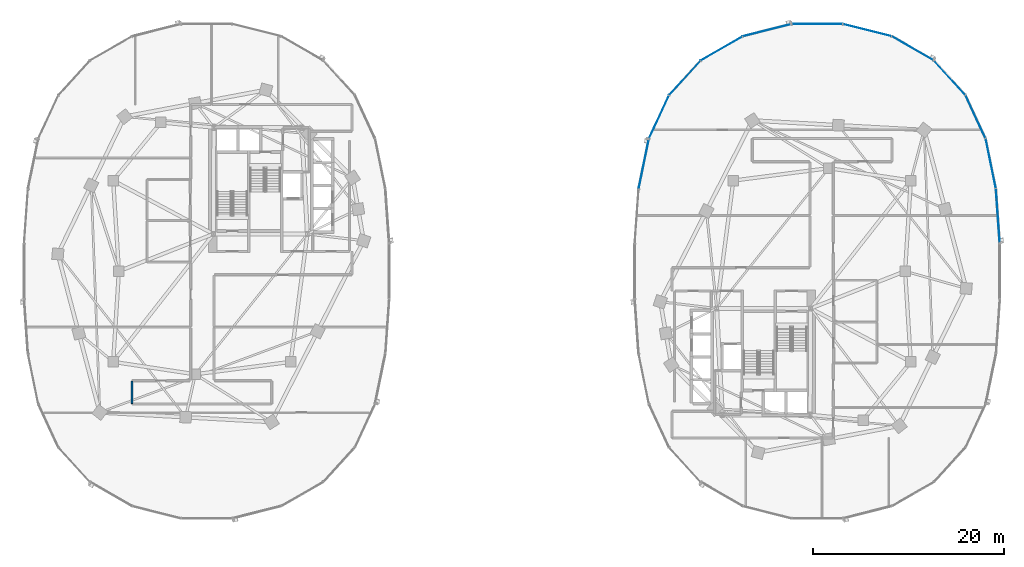
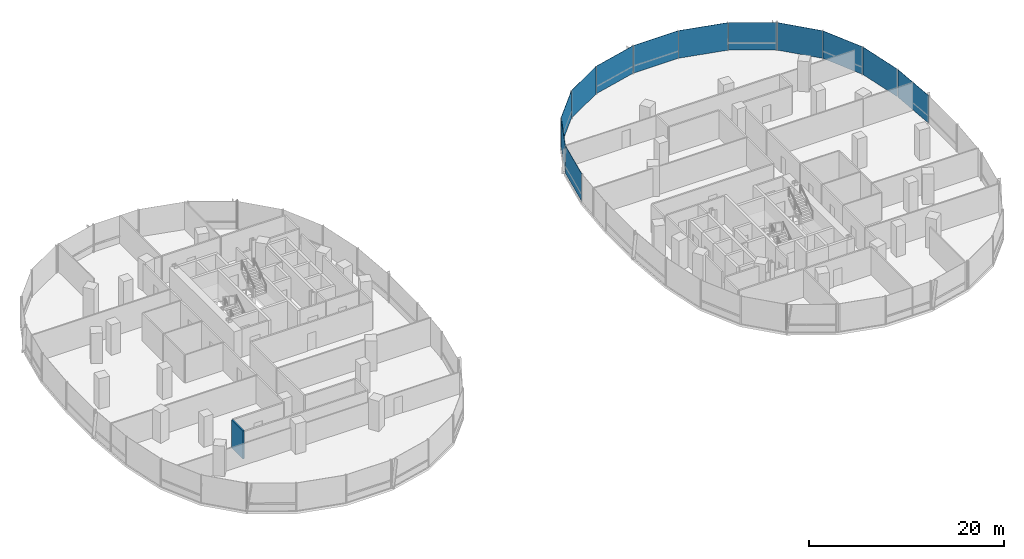
# One storey, part 10 of 21: 12 plates, 1 wall, 2 elements without a shape of their own.
"""IFC4 building model written with IfcOpenShell, lengths in metres."""

from ifc_helpers import new_model, si_unit, direction, frame, frame_2d, origin, origin_2d, place, context, subcontext, project, spatial, rectangle, extrude, material, layer, layer_set, type_object, element, aggregate, save


model = new_model("IFC4")

# Units and contexts
model_context = context("Model", 3, precision=1e-05, world=origin(), true_north=direction((0.0, 1.0)))
body_context = subcontext(model_context, "Body", "Model", "MODEL_VIEW")
ifc_project = project(units=[si_unit("LENGTHUNIT", "METRE"), si_unit("AREAUNIT", "SQUARE_METRE"), si_unit("VOLUMEUNIT", "CUBIC_METRE"), si_unit("PLANEANGLEUNIT", "RADIAN"), si_unit("MASSUNIT", "GRAM", prefix="KILO"), si_unit("THERMODYNAMICTEMPERATUREUNIT", "KELVIN"), si_unit("POWERUNIT", "WATT")], contexts=[model_context])

# Site, building, storey
site_placement = place(None, origin())
site = spatial("IfcSite", under=ifc_project, at=site_placement, CompositionType="ELEMENT")
building_placement = place(site_placement, origin())
building = spatial("IfcBuilding", under=site, at=building_placement, Name="Cundina Bronze Exchange", CompositionType="ELEMENT")
storey_placement = place(building_placement, frame((0.0, 0.0, 62.0)))
storey = spatial("IfcBuildingStorey", under=building, at=storey_placement, Name="L15", CompositionType="ELEMENT", Elevation=62.0)

# Curtain wall, plates
ifc_material_1 = material(Name="Anodised Bronze Aluminium 6063-T6", Category="aluminium")
curtain_wall_type = type_object("IfcCurtainWallType", Name="CWS-TRD-LOW", PredefinedType="NOTDEFINED", material=ifc_material_1)
curtain_wall_1_placement = place(storey_placement, origin())
curtain_wall_1 = element("IfcCurtainWall", 1, at=curtain_wall_1_placement, inside=storey, type_object=curtain_wall_type, Name="L15 CW-02 Curtain Wall Run CWR-L15-E1", PredefinedType="NOTDEFINED")
ifc_material_2 = material(Name="Heat-Strengthened Solar-Control Bronze Safety Glass 28mm", Category="glass")
ifc_layer_1 = layer(ifc_material_2, 0.028076171875, Name="Heat-Strengthened Solar-Control Bronze Safety Glass 28mm", Category="glass")
ifc_layer_set_1 = layer_set([ifc_layer_1], Name="Heat-Strengthened Solar-Control Bronze Safety Glass 28mm")
plate_type_1 = type_object("IfcPlateType", Name="PLT-GLZ-VIS28", PredefinedType="CURTAIN_PANEL", material=ifc_layer_set_1)
plate_1_placement = place(storey_placement, frame((50.9267578125, 5.783935546875, 0.02001953125), z_axis=(0.0, 0.0, 1.0), x_axis=(-0.070278787473, 0.997527389113, 0.0)))
plate_1 = element("IfcPlate", 2, at=plate_1_placement, type_object=plate_type_1, Name="CW-02 Glazed Panel 1", PredefinedType="CURTAIN_PANEL", context=body_context, shape_type="SweptSolid", body=[
    extrude(rectangle(XDim=5.644287109375, YDim=0.028076171875, at=origin_2d()), origin(), (0.0, 0.0, 1.0), 3.4599609375),
])
plate_2_placement = place(storey_placement, frame((50.18408203125, 11.269775390625, 0.02001953125), z_axis=(0.0, 0.0, 1.0), x_axis=(-0.201419845156, 0.979505000486, 0.0)))
plate_2 = element("IfcPlate", 3, at=plate_2_placement, type_object=plate_type_1, Name="CW-02 Glazed Panel 2", PredefinedType="CURTAIN_PANEL", context=body_context, shape_type="SweptSolid", body=[
    extrude(rectangle(XDim=5.306640625, YDim=0.028076171875, at=origin_2d()), origin(), (0.0, 0.0, 1.0), 3.4599609375),
])
plate_3_placement = place(storey_placement, frame((48.586181640625, 16.177734375, 0.02001953125), z_axis=(0.0, 0.0, 1.0), x_axis=(-0.42084583328, 0.907132175932, 0.0)))
plate_3 = element("IfcPlate", 4, at=plate_3_placement, type_object=plate_type_1, Name="CW-02 Glazed Panel 3", PredefinedType="CURTAIN_PANEL", context=body_context, shape_type="SweptSolid", body=[
    extrude(rectangle(XDim=4.966552734375, YDim=0.028076171875, at=origin_2d()), origin(), (0.0, 0.0, 1.0), 3.4599609375),
])
plate_4_placement = place(storey_placement, frame((45.8740234375, 20.267333984375, 0.02001953125), z_axis=(0.0, 0.0, 1.0), x_axis=(-0.674276610219, 0.73847887777, 0.0)))
plate_4 = element("IfcPlate", 5, at=plate_4_placement, type_object=plate_type_1, Name="CW-02 Glazed Panel 4", PredefinedType="CURTAIN_PANEL", context=body_context, shape_type="SweptSolid", body=[
    extrude(rectangle(XDim=4.86328125, YDim=0.028076171875, at=origin_2d()), origin(), (0.0, 0.0, 1.0), 3.4599609375),
])
plate_5_placement = place(storey_placement, frame((37.255615234375, 25.256591796875, 0.02001953125), z_axis=(0.0, 0.0, 1.0), x_axis=(-0.969488149345, 0.245138182011, 0.0)))
plate_5 = element("IfcPlate", 6, at=plate_5_placement, type_object=plate_type_1, Name="CW-02 Glazed Panel 6", PredefinedType="CURTAIN_PANEL", context=body_context, shape_type="SweptSolid", body=[
    extrude(rectangle(XDim=5.2333984375, YDim=0.028076171875, at=origin_2d()), origin(), (0.0, 0.0, 1.0), 3.4599609375),
])
plate_6_placement = place(storey_placement, frame((32.0, 25.905029296875, 0.02001953125), z_axis=(0.0, 0.0, 1.0), x_axis=(-1.0, 0.0, 0.0)))
plate_6 = element("IfcPlate", 7, at=plate_6_placement, type_object=plate_type_1, Name="CW-02 Glazed Panel 7", PredefinedType="CURTAIN_PANEL", context=body_context, shape_type="SweptSolid", body=[
    extrude(rectangle(XDim=5.323974609375, YDim=0.028076171875, at=origin_2d()), origin(), (0.0, 0.0, 1.0), 3.4599609375),
])

curtain_wall_2_placement = place(storey_placement, origin())
curtain_wall_2 = element("IfcCurtainWall", 8, at=curtain_wall_2_placement, inside=storey, type_object=curtain_wall_type, Name="L15 CW-02 Curtain Wall Run CWR-L15-E2", PredefinedType="NOTDEFINED")
plate_7_placement = place(storey_placement, frame((26.744384765625, 25.256591796875, 0.02001953125), z_axis=(0.0, 0.0, 1.0), x_axis=(-0.969488149345, -0.245138182011, 0.0)))
plate_7 = element("IfcPlate", 9, at=plate_7_placement, type_object=plate_type_1, Name="CW-02 Glazed Panel 1", PredefinedType="CURTAIN_PANEL", context=body_context, shape_type="SweptSolid", body=[
    extrude(rectangle(XDim=5.2333984375, YDim=0.028076171875, at=origin_2d()), origin(), (0.0, 0.0, 1.0), 3.4599609375),
])
plate_8_placement = place(storey_placement, frame((21.980712890625, 23.34423828125, 0.02001953125), z_axis=(0.0, 0.0, 1.0), x_axis=(-0.867105478933, -0.498124571171, 0.0)))
plate_8 = element("IfcPlate", 10, at=plate_8_placement, type_object=plate_type_1, Name="CW-02 Glazed Panel 2", PredefinedType="CURTAIN_PANEL", context=body_context, shape_type="SweptSolid", body=[
    extrude(rectangle(XDim=5.021240234375, YDim=0.028076171875, at=origin_2d()), origin(), (0.0, 0.0, 1.0), 3.4599609375),
])
plate_9_placement = place(storey_placement, frame((18.1259765625, 20.267333984375, 0.02001953125), z_axis=(0.0, 0.0, 1.0), x_axis=(-0.674276610219, -0.73847887777, 0.0)))
plate_9 = element("IfcPlate", 11, at=plate_9_placement, type_object=plate_type_1, Name="CW-02 Glazed Panel 3", PredefinedType="CURTAIN_PANEL", context=body_context, shape_type="SweptSolid", body=[
    extrude(rectangle(XDim=4.86328125, YDim=0.028076171875, at=origin_2d()), origin(), (0.0, 0.0, 1.0), 3.4599609375),
])
plate_10_placement = place(storey_placement, frame((13.81591796875, 11.269775390625, 0.02001953125), z_axis=(0.0, 0.0, 1.0), x_axis=(-0.201419845156, -0.979505000486, 0.0)))
plate_10 = element("IfcPlate", 12, at=plate_10_placement, type_object=plate_type_1, Name="CW-02 Glazed Panel 5", PredefinedType="CURTAIN_PANEL", context=body_context, shape_type="SweptSolid", body=[
    extrude(rectangle(XDim=5.306640625, YDim=0.028076171875, at=origin_2d()), origin(), (0.0, 0.0, 1.0), 3.4599609375),
])

# Plate
ifc_material_3 = material(Name="Dark Bronze Spandrel Glass Panel 32mm", Category="glass")
ifc_layer_2 = layer(ifc_material_3, 0.031982421875, Name="Dark Bronze Spandrel Glass Panel 32mm", Category="glass")
ifc_layer_set_2 = layer_set([ifc_layer_2], Name="Dark Bronze Spandrel Glass Panel 32mm")
plate_type_2 = type_object("IfcPlateType", Name="PLT-SPN-BRZ32", PredefinedType="CURTAIN_PANEL", material=ifc_layer_set_2)
plate_11_placement = place(storey_placement, frame((42.019287109375, 23.34423828125, 0.02001953125), z_axis=(0.0, 0.0, 1.0), x_axis=(-0.867105478933, 0.498124571171, 0.0)))
plate_11 = element("IfcPlate", 13, at=plate_11_placement, type_object=plate_type_2, Name="CW-02 Glazed Panel 5", PredefinedType="CURTAIN_PANEL", context=body_context, shape_type="SweptSolid", body=[
    extrude(rectangle(XDim=5.021240234375, YDim=0.031982421875, at=origin_2d()), origin(), (0.0, 0.0, 1.0), 3.4599609375),
])

aggregate(curtain_wall_1, [plate_1, plate_2, plate_3, plate_4, plate_11, plate_5, plate_6])

plate_12_placement = place(storey_placement, frame((15.413818359375, 16.177734375, 0.02001953125), z_axis=(0.0, 0.0, 1.0), x_axis=(-0.42084583328, -0.907132175932, 0.0)))
plate_12 = element("IfcPlate", 14, at=plate_12_placement, type_object=plate_type_2, Name="CW-02 Glazed Panel 4", PredefinedType="CURTAIN_PANEL", context=body_context, shape_type="SweptSolid", body=[
    extrude(rectangle(XDim=4.966552734375, YDim=0.031982421875, at=origin_2d()), origin(), (0.0, 0.0, 1.0), 3.4599609375),
])

aggregate(curtain_wall_2, [plate_7, plate_8, plate_9, plate_12, plate_10])

# Wall
ifc_material_4 = material(Name="Gypsum Fireboard Partition EI120")
ifc_layer_3 = layer(ifc_material_4, 0.179931640625, Name="Gypsum Fireboard Partition EI120")
ifc_layer_set_3 = layer_set([ifc_layer_3], Name="Gypsum Fireboard Partition EI120")
wall_type = type_object("IfcWallType", Name="WL-COR-180", PredefinedType="PARTITIONING", material=ifc_layer_set_3)
wall_placement = place(storey_placement, frame((-39.820068359375, -11.521484375, 0.0), z_axis=(0.0, 0.0, 1.0), x_axis=(0.0, -1.0, 0.0)))
element("IfcWall", 15, at=wall_placement, inside=storey, type_object=wall_type, Name="L15 Interior Partition 025", PredefinedType="PARTITIONING", context=body_context, shape_type="SweptSolid", body=[
    extrude(rectangle(XDim=2.35693359375, YDim=0.179931640625, at=frame_2d((1.178466796875, 0.0))), origin(), (0.0, 0.0, 1.0), 3.5),
])

save(model, "model.ifc")
